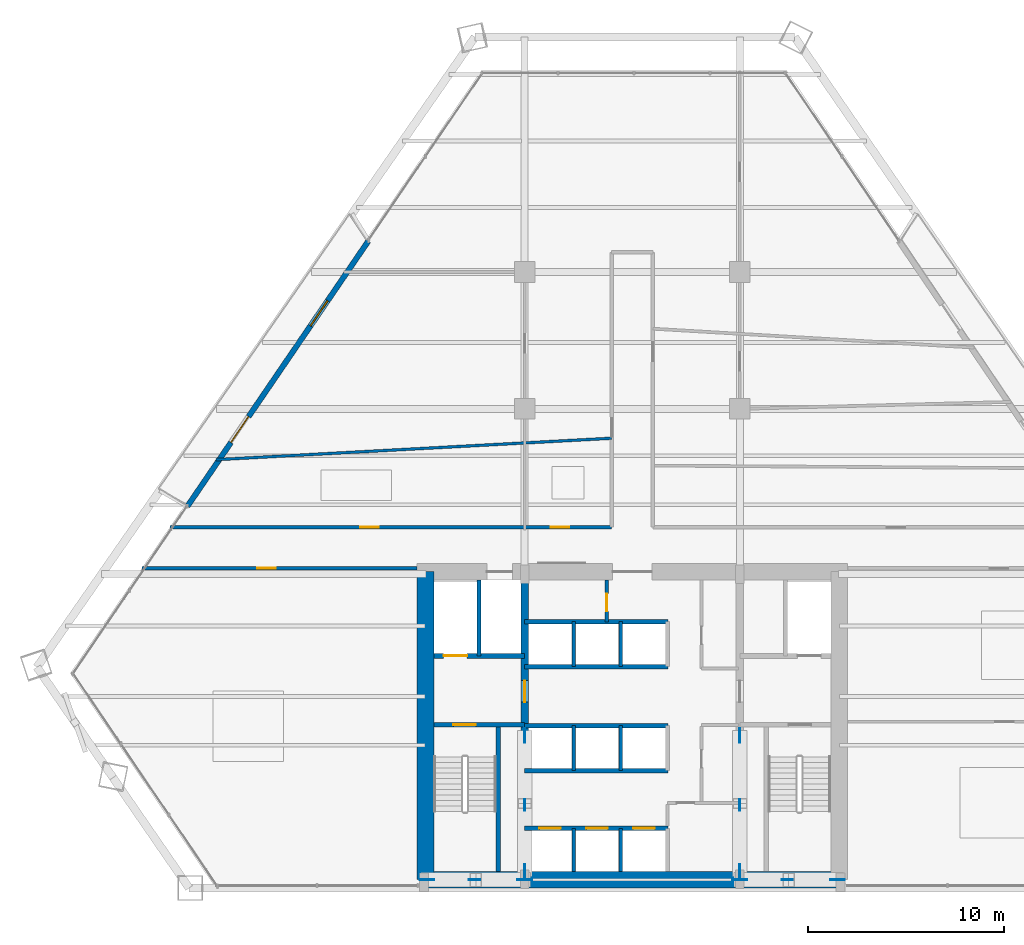
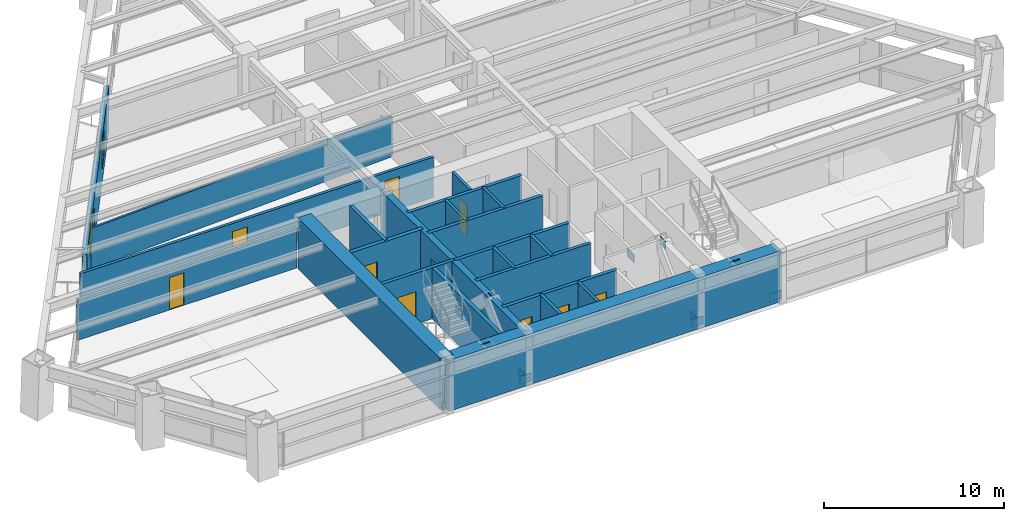
# One storey, part 10 of 14: 23 walls, 12 plates, 11 doors, 1 window, 12 openings.
"""IFC4 building model written with IfcOpenShell, lengths in metres."""

from ifc_helpers import new_model, si_unit, direction, frame, frame_2d, origin, origin_2d, place, context, subcontext, project, spatial, rectangle, extrude, source, transform, mapped, material, layer, layer_set, type_object, type_shapes, element, fill, save


model = new_model("IFC4")

# Units and contexts
model_context = context("Model", 3, precision=1e-05, world=origin(), true_north=direction((0.0, 1.0)))
body_context = subcontext(model_context, "Body", "Model", "MODEL_VIEW")
ifc_project = project(units=[si_unit("LENGTHUNIT", "METRE"), si_unit("AREAUNIT", "SQUARE_METRE"), si_unit("VOLUMEUNIT", "CUBIC_METRE"), si_unit("PLANEANGLEUNIT", "RADIAN"), si_unit("MASSUNIT", "GRAM", prefix="KILO")], contexts=[model_context])

# Site, building, storey
site_placement = place(None, origin())
site = spatial("IfcSite", under=ifc_project, at=site_placement, CompositionType="ELEMENT")
building_placement = place(site_placement, origin())
building = spatial("IfcBuilding", under=site, at=building_placement, Name="Varnakhor Terracotta Tower", CompositionType="ELEMENT")
storey_placement = place(building_placement, frame((0.0, 0.0, 34.89990234375)))
storey = spatial("IfcBuildingStorey", under=building, at=storey_placement, Name="L07", CompositionType="ELEMENT", Elevation=34.89990234375)

# Plates
ifc_material_1 = material(Name="Steel S460", Category="steel")
ifc_layer_1 = layer(ifc_material_1, 0.050048828125, Name="Steel S460")
ifc_layer_set_1 = layer_set([ifc_layer_1], Name="Steel S460")
plate_type = type_object("IfcPlateType", Name="PLT-GUSSET-50", PredefinedType="USERDEFINED", material=ifc_layer_set_1)
shared_shape_1 = source(origin(), body_context, "Body", "SweptSolid", [
    extrude(rectangle(XDim=0.75, YDim=0.0400390625, at=origin_2d()), origin(), (0.0, 0.0, 1.0), 0.550048828125),
])
type_shapes(plate_type, [shared_shape_1])
for number, where, z_axis, x_axis, name in (
    (1, (-10.5, 0.419921875, -0.0947265625), (0.0, 0.0, 1.0), (1.0, 0.0, 0.0), "L07 Core Brace Embed Plate CSWA"),
    (2, (-5.5, 0.419921875, -0.0947265625), (0.0, 0.0, 1.0), (1.0, 0.0, 0.0), "L07 Core Brace Embed Plate CSWB"),
    (3, (5.5, 0.419921875, -0.0947265625), (0.0, 0.0, 1.0), (1.0, 0.0, 0.0), "L07 Core Brace Embed Plate CSEA"),
    (4, (10.5, 0.419921875, -0.0947265625), (0.0, 0.0, 1.0), (1.0, 0.0, 0.0), "L07 Core Brace Embed Plate CSEB"),
    (5, (-5.5, 0.85009765625, -0.0947265625), (0.0, 0.0, 1.0), (0.0, 1.0, 0.0), "L07 Core Brace Embed Plate CWWA"),
    (6, (-5.5, 7.800048828125, -0.0947265625), (0.0, 0.0, 1.0), (0.0, 1.0, 0.0), "L07 Core Brace Embed Plate CWWB"),
    (7, (5.5, 0.85009765625, -0.0947265625), (0.0, 0.0, 1.0), (0.0, 1.0, 0.0), "L07 Core Brace Embed Plate CWEA"),
    (8, (5.5, 7.800048828125, -0.0947265625), (0.0, 0.0, 1.0), (0.0, 1.0, 0.0), "L07 Core Brace Embed Plate CWEB"),
):
    element("IfcPlate", number, at=place(storey_placement, frame(where, z_axis=z_axis, x_axis=x_axis)), inside=storey, type_object=plate_type, Name=name, ObjectType="GUSSET PLATE", PredefinedType="USERDEFINED", context=body_context, shape_type="MappedRepresentation", body=[
        mapped(shared_shape_1, transform((0.0, 0.0, 0.0), scale=1.0)),
    ])
shared_shape_2 = source(origin(), body_context, "Body", "SweptSolid", [
    extrude(rectangle(XDim=0.580078125, YDim=0.0400390625, at=origin_2d()), origin(), (0.0, 0.0, 1.0), 0.580078125),
])
for number, where, z_axis, x_axis, name in (
    (9, (-8.072509765625, 0.419921875, 2.914306640625), (0.0, 0.0, 1.0), (1.0, 0.0, 0.0), "L07 Brace End Connection Plate 32"),
    (10, (7.927490234375, 0.419921875, 2.914306640625), (0.0, 0.0, 1.0), (1.0, 0.0, 0.0), "L07 Brace End Connection Plate 33"),
    (11, (-5.5, 4.238037109375, 2.927490234375), (0.0, 0.0, 1.0), (0.0, 1.0, 0.0), "L07 Brace End Connection Plate 34"),
    (12, (5.5, 4.238037109375, 2.927490234375), (0.0, 0.0, 1.0), (0.0, 1.0, 0.0), "L07 Brace End Connection Plate 35"),
):
    element("IfcPlate", number, at=place(storey_placement, frame(where, z_axis=z_axis, x_axis=x_axis)), inside=storey, type_object=plate_type, Name=name, ObjectType="GUSSET PLATE", PredefinedType="USERDEFINED", context=body_context, shape_type="MappedRepresentation", body=[
        mapped(shared_shape_2, transform((0.0, 0.0, 0.0), scale=1.0)),
    ])

# Walls
ifc_material_2 = material(Name="Concrete C60/75", Category="concrete")
ifc_layer_2 = layer(ifc_material_2, 0.85009765625, Name="Concrete C60/75")
ifc_layer_set_2 = layer_set([ifc_layer_2], Name="Concrete C60/75")
wall_type_1 = type_object("IfcWallType", Name="WAL-CORE-850", PredefinedType="SHEAR", material=ifc_layer_set_2)
wall_1_placement = place(storey_placement, frame((-10.64990234375, 0.425048828125, 0.0), z_axis=(0.0, 0.0, 1.0), x_axis=(1.0, 0.0, 0.0)))
element("IfcWall", 13, at=wall_1_placement, inside=storey, type_object=wall_type_1, Name="L07 South Core Shear Wall", PredefinedType="SHEAR", context=body_context, shape_type="SweptSolid", body=[
    extrude(rectangle(XDim=21.2998046875, YDim=0.85009765625, at=frame_2d((10.64990234375, 0.0))), origin(), (0.0, 0.0, 1.0), 3.4501953125),
])
wall_2_placement = place(storey_placement, frame((-10.574951171875, 0.425048828125, 0.0), z_axis=(0.0, 0.0, 1.0), x_axis=(0.0, 1.0, 0.0)))
element("IfcWall", 14, at=wall_2_placement, inside=storey, type_object=wall_type_1, Name="L07 West Core Shear Wall", PredefinedType="SHEAR", context=body_context, shape_type="SweptSolid", body=[
    extrude(rectangle(XDim=15.75, YDim=0.85009765625, at=frame_2d((7.875, 0.0))), origin(), (0.0, 0.0, 1.0), 3.4501953125),
])

# Wall, opening, door
ifc_material_3 = material(Name="Concrete C50/60", Category="concrete")
ifc_layer_3 = layer(ifc_material_3, 0.39990234375, Name="Concrete C50/60")
ifc_layer_set_3 = layer_set([ifc_layer_3], Name="Concrete C50/60")
wall_type_2 = type_object("IfcWallType", Name="WAL-CORE-WEB-400", PredefinedType="SHEAR", material=ifc_layer_set_3)
wall_3_placement = place(storey_placement, frame((-5.5, 0.425048828125, 0.0), z_axis=(0.0, 0.0, 1.0), x_axis=(0.0, 1.0, 0.0)))
wall_3 = element("IfcWall", 15, at=wall_3_placement, inside=storey, type_object=wall_type_2, Name="L07 West Core Web Shear Wall", PredefinedType="SHEAR", context=body_context, shape_type="SweptSolid", body=[
    extrude(rectangle(XDim=15.75, YDim=0.39990234375, at=frame_2d((7.875, 0.0))), origin(), (0.0, 0.0, 1.0), 3.4501953125),
])
opening_1_placement = place(wall_3_placement, frame((9.074951171875, 0.0, 0.0)))
opening_1 = element("IfcOpeningElement", 16, at=opening_1_placement, cuts=wall_3, Name="Opening DR-25", PredefinedType="OPENING", context=body_context, shape_type="SweptSolid", body=[
    extrude(rectangle(XDim=1.10009765625, YDim=2.199951171875, at=frame_2d((0.550048828125, 1.10009765625))), frame((0.0, 0.2099609375, 0.0), z_axis=(0.0, -1.0, 0.0), x_axis=(1.0, 0.0, 0.0)), (0.0, 0.0, 1.0), 0.419921875),
])
ifc_material_4 = material(Name="Firefighting Lobby Self-Closing Fire Door", Category="steel")
door_type_1 = type_object("IfcDoorType", Name="DR-FFL-1100X2200", OperationType="NOTDEFINED", PredefinedType="DOOR", material=ifc_material_4)
shared_shape_3 = source(origin(), body_context, "Body", "SweptSolid", [
    extrude(rectangle(XDim=1.10009765625, YDim=2.199951171875, at=frame_2d((0.550048828125, 1.10009765625))), frame((0.0, 0.02490234375, 0.0), z_axis=(0.0, -1.0, 0.0), x_axis=(1.0, 0.0, 0.0)), (0.0, 0.0, 1.0), 0.050048828125),
])
type_shapes(door_type_1, [shared_shape_3])
door_1_placement = place(opening_1_placement, origin())
door_1 = element("IfcDoor", 17, at=door_1_placement, inside=storey, type_object=door_type_1, Name="L07 West Firefighting Lobby Door", OperationType="SINGLE_SWING_LEFT", OverallHeight=2.199951171875, OverallWidth=1.10009765625, PredefinedType="DOOR", context=body_context, shape_type="MappedRepresentation", body=[
    mapped(shared_shape_3, transform((0.0, 0.0, 0.0), scale=1.0)),
])
fill(opening_1, door_1)

ifc_material_5 = material(Name="Fire-Rated Gypsum Stud Partition", Category="gypsum")
ifc_layer_4 = layer(ifc_material_5, 0.18505859375, Name="Fire-Rated Gypsum Stud Partition")
ifc_layer_set_4 = layer_set([ifc_layer_4], Name="Fire-Rated Gypsum Stud Partition")
wall_type_3 = type_object("IfcWallType", Name="WAL-CORR-185", PredefinedType="PARTITIONING", material=ifc_layer_set_4)
wall_4_placement = place(storey_placement, frame((-25.064453125, 16.35009765625, 0.0), z_axis=(0.0, 0.0, 1.0), x_axis=(1.0, 0.0, 0.0)))
wall_4 = element("IfcWall", 18, at=wall_4_placement, inside=storey, type_object=wall_type_3, Name="L07 South West Corridor Wall", PredefinedType="PARTITIONING", context=body_context, shape_type="SweptSolid", body=[
    extrude(rectangle(XDim=14.04443359375, YDim=0.18505859375, at=frame_2d((7.022216796875, 0.0))), origin(), (0.0, 0.0, 1.0), 2.7470703125),
])
opening_2_placement = place(wall_4_placement, frame((5.87890625, 0.0, 0.0)))
opening_2 = element("IfcOpeningElement", 19, at=opening_2_placement, cuts=wall_4, Name="Opening DR-94", PredefinedType="OPENING", context=body_context, shape_type="SweptSolid", body=[
    extrude(rectangle(XDim=0.949951171875, YDim=2.199951171875, at=frame_2d((0.47509765625, 1.10009765625))), frame((0.0, 0.1025390625, 0.0), z_axis=(0.0, -1.0, 0.0), x_axis=(1.0, 0.0, 0.0)), (0.0, 0.0, 1.0), 0.205078125),
])
ifc_material_6 = material(Name="Acoustic Glazed-Vision Timber Office Door", Category="wood")
door_type_2 = type_object("IfcDoorType", Name="DR-OFF-950X2200", OperationType="NOTDEFINED", PredefinedType="DOOR", material=ifc_material_6)
shared_shape_4 = source(origin(), body_context, "Body", "SweptSolid", [
    extrude(rectangle(XDim=0.949951171875, YDim=2.199951171875, at=frame_2d((0.47509765625, 1.10009765625))), frame((0.0, 0.02490234375, 0.0), z_axis=(0.0, -1.0, 0.0), x_axis=(1.0, 0.0, 0.0)), (0.0, 0.0, 1.0), 0.050048828125),
])
type_shapes(door_type_2, [shared_shape_4])
door_2_placement = place(opening_2_placement, origin())
door_2 = element("IfcDoor", 20, at=door_2_placement, inside=storey, type_object=door_type_2, Name="L07 SW Suite Door", OperationType="SINGLE_SWING_RIGHT", OverallHeight=2.199951171875, OverallWidth=0.949951171875, PredefinedType="DOOR", context=body_context, shape_type="MappedRepresentation", body=[
    mapped(shared_shape_4, transform((0.0, 0.0, 0.0), scale=1.0)),
])
fill(opening_2, door_2)

# Wall, openings, doors
wall_5_placement = place(storey_placement, frame((-23.63232421875, 18.449951171875, 0.0), z_axis=(0.0, 0.0, 1.0), x_axis=(1.0, 0.0, 0.0)))
wall_5 = element("IfcWall", 21, at=wall_5_placement, inside=storey, type_object=wall_type_3, Name="L07 Corridor North West Wall", PredefinedType="PARTITIONING", context=body_context, shape_type="SweptSolid", body=[
    extrude(rectangle(XDim=22.582275390625, YDim=0.18505859375, at=frame_2d((11.291015625, 0.0))), origin(), (0.0, 0.0, 1.0), 2.7470703125),
])
opening_3_placement = place(wall_5_placement, frame((9.72119140625, 0.0, 0.0)))
opening_3 = element("IfcOpeningElement", 22, at=opening_3_placement, cuts=wall_5, Name="Opening DR-94", PredefinedType="OPENING", context=body_context, shape_type="SweptSolid", body=[
    extrude(rectangle(XDim=0.949951171875, YDim=2.199951171875, at=frame_2d((0.47509765625, 1.10009765625))), frame((0.0, 0.1025390625, 0.0), z_axis=(0.0, -1.0, 0.0), x_axis=(1.0, 0.0, 0.0)), (0.0, 0.0, 1.0), 0.205078125),
])
opening_4_placement = place(wall_5_placement, frame((19.4560546875, 0.0, 0.0)))
opening_4 = element("IfcOpeningElement", 23, at=opening_4_placement, cuts=wall_5, Name="Opening DR-94", PredefinedType="OPENING", context=body_context, shape_type="SweptSolid", body=[
    extrude(rectangle(XDim=0.949951171875, YDim=2.199951171875, at=frame_2d((0.47509765625, 1.10009765625))), frame((0.0, 0.1025390625, 0.0), z_axis=(0.0, -1.0, 0.0), x_axis=(1.0, 0.0, 0.0)), (0.0, 0.0, 1.0), 0.205078125),
])
door_3_placement = place(opening_3_placement, origin())
door_3 = element("IfcDoor", 24, at=door_3_placement, inside=storey, type_object=door_type_2, Name="L07 West Workplace Door", OperationType="SINGLE_SWING_RIGHT", OverallHeight=2.199951171875, OverallWidth=0.949951171875, PredefinedType="DOOR", context=body_context, shape_type="MappedRepresentation", body=[
    mapped(shared_shape_4, transform((0.0, 0.0, 0.0), scale=1.0)),
])
fill(opening_3, door_3)
door_4_placement = place(opening_4_placement, origin())
door_4 = element("IfcDoor", 25, at=door_4_placement, inside=storey, type_object=door_type_2, Name="L07 Executive Office 2 B7 Door", OperationType="SINGLE_SWING_LEFT", OverallHeight=2.199951171875, OverallWidth=0.949951171875, PredefinedType="DOOR", context=body_context, shape_type="MappedRepresentation", body=[
    mapped(shared_shape_4, transform((0.0, 0.0, 0.0), scale=1.0)),
])
fill(opening_4, door_4)

# Wall, openings, door, window
ifc_material_7 = material(Name="Extruded Architectural Terracotta Assembly", Category="masonry")
ifc_layer_5 = layer(ifc_material_7, 0.280029296875, Name="Extruded Architectural Terracotta Assembly")
ifc_layer_set_5 = layer_set([ifc_layer_5], Name="Extruded Architectural Terracotta Assembly")
wall_type_4 = type_object("IfcWallType", Name="WAL-EXT-TERRACOTTA-280", PredefinedType="SOLIDWALL", material=ifc_layer_set_5)
wall_6_placement = place(storey_placement, frame((-22.739990234375, 19.52783203125, 0.0), z_axis=(0.0, 0.0, 1.0), x_axis=(0.563410685264, 0.826176978455, 0.0)))
wall_6 = element("IfcWall", 26, at=wall_6_placement, inside=storey, type_object=wall_type_4, Name="L07 W Loggia Insulated Terracotta Wall", PredefinedType="SOLIDWALL", context=body_context, shape_type="SweptSolid", body=[
    extrude(rectangle(XDim=16.41015625, YDim=0.280029296875, at=frame_2d((8.205078125, 0.0))), origin(), (0.0, 0.0, 1.0), 3.030029296875),
])
opening_5_placement = place(wall_6_placement, frame((3.9384765625, 0.0, 0.0)))
opening_5 = element("IfcOpeningElement", 27, at=opening_5_placement, cuts=wall_6, Name="Opening DR-62", PredefinedType="OPENING", context=body_context, shape_type="SweptSolid", body=[
    extrude(rectangle(XDim=1.60009765625, YDim=2.35009765625, at=frame_2d((0.800048828125, 1.175048828125))), frame((0.0, 0.14990234375, 0.0), z_axis=(0.0, -1.0, 0.0), x_axis=(1.0, 0.0, 0.0)), (0.0, 0.0, 1.0), 0.300048828125),
])
opening_6_placement = place(wall_6_placement, frame((11.15869140625, 0.0, 0.89990234375)))
opening_6 = element("IfcOpeningElement", 28, at=opening_6_placement, cuts=wall_6, Name="Opening WN-57", PredefinedType="OPENING", context=body_context, shape_type="SweptSolid", body=[
    extrude(rectangle(XDim=1.550048828125, YDim=1.85009765625, at=frame_2d((0.77490234375, 0.925048828125))), frame((0.0, 0.14990234375, 0.0), z_axis=(0.0, -1.0, 0.0), x_axis=(1.0, 0.0, 0.0)), (0.0, 0.0, 1.0), 0.300048828125),
])
ifc_material_8 = material(Name="Thermally Broken Sliding Glass Loggia Door", Category="glass")
door_type_3 = type_object("IfcDoorType", Name="DR-EXT-LOGGIA-1600X2350", OperationType="NOTDEFINED", PredefinedType="DOOR", material=ifc_material_8)
shared_shape_5 = source(origin(), body_context, "Body", "SweptSolid", [
    extrude(rectangle(XDim=1.60009765625, YDim=2.35009765625, at=frame_2d((0.800048828125, 1.175048828125))), frame((0.0, 0.02490234375, 0.0), z_axis=(0.0, -1.0, 0.0), x_axis=(1.0, 0.0, 0.0)), (0.0, 0.0, 1.0), 0.050048828125),
])
type_shapes(door_type_3, [shared_shape_5])
door_5_placement = place(opening_5_placement, origin())
door_5 = element("IfcDoor", 29, at=door_5_placement, inside=storey, type_object=door_type_3, Name="L07 W Recessed Loggia Sliding Door", OperationType="SLIDING_TO_LEFT", OverallHeight=2.35009765625, OverallWidth=1.60009765625, PredefinedType="DOOR", context=body_context, shape_type="MappedRepresentation", body=[
    mapped(shared_shape_5, transform((0.0, 0.0, 0.0), scale=1.0)),
])
fill(opening_5, door_5)
ifc_material_9 = material(Name="Solar-Control Low-E Insulated Glass Unit", Category="glass")
window_type = type_object("IfcWindowType", Name="WIN-OFF-1650X2100", PartitioningType="SINGLE_PANEL", PredefinedType="WINDOW", material=ifc_material_9)
shared_shape_6 = source(origin(), body_context, "Body", "SweptSolid", [
    extrude(rectangle(XDim=1.550048828125, YDim=1.85009765625, at=frame_2d((0.77490234375, 0.925048828125))), frame((0.0, 0.030029296875, 0.0), z_axis=(0.0, -1.0, 0.0), x_axis=(1.0, 0.0, 0.0)), (0.0, 0.0, 1.0), 0.06005859375),
])
type_shapes(window_type, [shared_shape_6])
window_placement = place(opening_6_placement, origin())
window = element("IfcWindow", 30, at=window_placement, inside=storey, type_object=window_type, Name="L07 W Facet Punched Window", OverallHeight=1.85009765625, OverallWidth=1.550048828125, PartitioningType="SINGLE_PANEL", PredefinedType="WINDOW", context=body_context, shape_type="MappedRepresentation", body=[
    mapped(shared_shape_6, transform((0.0, 0.0, 0.0), scale=1.0)),
])
fill(opening_6, window)

# Wall, opening, door
ifc_material_10 = material(Name="Concrete C40/50", Category="concrete")
ifc_layer_6 = layer(ifc_material_10, 0.219970703125, Name="Concrete C40/50")
ifc_layer_set_6 = layer_set([ifc_layer_6], Name="Concrete C40/50")
wall_type_5 = type_object("IfcWallType", Name="WAL-FFLOBBY-220", PredefinedType="SOLIDWALL", material=ifc_layer_set_6)
wall_7_placement = place(storey_placement, frame((-5.5, 8.35009765625, 0.0), z_axis=(0.0, 0.0, 1.0), x_axis=(-1.0, 0.0, 0.0)))
wall_7 = element("IfcWall", 31, at=wall_7_placement, inside=storey, type_object=wall_type_5, Name="L07 West Firefighting Lobby Stair Wall", PredefinedType="SOLIDWALL", context=body_context, shape_type="SweptSolid", body=[
    extrude(rectangle(XDim=4.64990234375, YDim=0.219970703125, at=frame_2d((2.324951171875, 0.0))), origin(), (0.0, 0.0, 1.0), 3.4501953125),
])
opening_7_placement = place(wall_7_placement, frame((2.5, 0.0, 0.0)))
opening_7 = element("IfcOpeningElement", 32, at=opening_7_placement, cuts=wall_7, Name="Opening DR-34", PredefinedType="OPENING", context=body_context, shape_type="SweptSolid", body=[
    extrude(rectangle(XDim=1.14990234375, YDim=2.199951171875, at=frame_2d((0.574951171875, 1.10009765625))), frame((0.0, 0.1201171875, 0.0), z_axis=(0.0, -1.0, 0.0), x_axis=(1.0, 0.0, 0.0)), (0.0, 0.0, 1.0), 0.239990234375),
])
ifc_material_11 = material(Name="Self-Closing Smoke-Sealed Steel Fire Door", Category="steel")
door_type_4 = type_object("IfcDoorType", Name="DR-STAIR-1150X2200", OperationType="NOTDEFINED", PredefinedType="DOOR", material=ifc_material_11)
shared_shape_7 = source(origin(), body_context, "Body", "SweptSolid", [
    extrude(rectangle(XDim=1.14990234375, YDim=2.199951171875, at=frame_2d((0.574951171875, 1.10009765625))), frame((0.0, 0.02490234375, 0.0), z_axis=(0.0, -1.0, 0.0), x_axis=(1.0, 0.0, 0.0)), (0.0, 0.0, 1.0), 0.050048828125),
])
type_shapes(door_type_4, [shared_shape_7])
door_6_placement = place(opening_7_placement, origin())
door_6 = element("IfcDoor", 33, at=door_6_placement, inside=storey, type_object=door_type_4, Name="L07 Exit Stair ST-1 Fire Door", OperationType="SINGLE_SWING_RIGHT", OverallHeight=2.199951171875, OverallWidth=1.14990234375, PredefinedType="DOOR", context=body_context, shape_type="MappedRepresentation", body=[
    mapped(shared_shape_7, transform((0.0, 0.0, 0.0), scale=1.0)),
])
fill(opening_7, door_6)

# Walls
ifc_material_12 = material(Name="Acoustic Metal-Stud Partition", Category="gypsum")
ifc_layer_7 = layer(ifc_material_12, 0.139892578125, Name="Acoustic Metal-Stud Partition")
ifc_layer_set_7 = layer_set([ifc_layer_7], Name="Acoustic Metal-Stud Partition")
wall_type_6 = type_object("IfcWallType", Name="WAL-PART-140", PredefinedType="PARTITIONING", material=ifc_layer_set_7)
wall_8_placement = place(storey_placement, frame((-21.2763671875, 21.90478515625, 0.0), z_axis=(0.0, 0.0, 1.0), x_axis=(0.998537212519, 0.054068800745, 0.0)))
element("IfcWall", 34, at=wall_8_placement, inside=storey, type_object=wall_type_6, Name="L07 West Wing Cut 1", PredefinedType="PARTITIONING", context=body_context, shape_type="SweptSolid", body=[
    extrude(rectangle(XDim=20.255859375, YDim=0.139892578125, at=frame_2d((10.1279296875, 0.0))), origin(), (0.0, 0.0, 1.0), 2.7470703125),
])
ifc_layer_8 = layer(ifc_material_10, 0.179931640625, Name="Concrete C40/50")
ifc_layer_set_8 = layer_set([ifc_layer_8], Name="Concrete C40/50")
wall_type_7 = type_object("IfcWallType", Name="WAL-SHAFT-180", PredefinedType="SOLIDWALL", material=ifc_layer_set_8)
for number, where, z_axis, x_axis, name in (
    (35, (-3.0, 0.85009765625, 0.0), (0.0, 0.0, 1.0), (0.0, 1.0, 0.0), "L07 PL-1A Divider"),
    (36, (-0.60009765625, 0.85009765625, 0.0), (0.0, 0.0, 1.0), (0.0, 1.0, 0.0), "L07 PL-1B Divider"),
):
    element("IfcWall", number, at=place(storey_placement, frame(where, z_axis=z_axis, x_axis=x_axis)), inside=storey, type_object=wall_type_7, Name=name, PredefinedType="SOLIDWALL", context=body_context, shape_type="SweptSolid", body=[
        extrude(rectangle(XDim=2.199951171875, YDim=0.179931640625, at=frame_2d((1.10009765625, 0.0))), origin(), (0.0, 0.0, 1.0), 3.4501953125),
    ])
for number, where, z_axis, x_axis, name in (
    (37, (-3.0, 6.0, 0.0), (0.0, 0.0, 1.0), (0.0, 1.0, 0.0), "L07 PL-2A Divider"),
    (38, (-0.60009765625, 6.0, 0.0), (0.0, 0.0, 1.0), (0.0, 1.0, 0.0), "L07 PL-2B Divider"),
    (39, (-3.0, 11.320068359375, 0.0), (0.0, 0.0, 1.0), (0.0, 1.0, 0.0), "L07 PL-3A Divider"),
    (40, (-0.60009765625, 11.320068359375, 0.0), (0.0, 0.0, 1.0), (0.0, 1.0, 0.0), "L07 PL-3B Divider"),
):
    element("IfcWall", number, at=place(storey_placement, frame(where, z_axis=z_axis, x_axis=x_axis)), inside=storey, type_object=wall_type_7, Name=name, PredefinedType="SOLIDWALL", context=body_context, shape_type="SweptSolid", body=[
        extrude(rectangle(XDim=2.300048828125, YDim=0.179931640625, at=frame_2d((1.14990234375, 0.0))), origin(), (0.0, 0.0, 1.0), 3.4501953125),
    ])
ifc_layer_9 = layer(ifc_material_10, 0.219970703125, Name="Concrete C40/50")
ifc_layer_set_9 = layer_set([ifc_layer_9], Name="Concrete C40/50")
wall_type_8 = type_object("IfcWallType", Name="WAL-SHAFT-220", PredefinedType="SOLIDWALL", material=ifc_layer_set_9)
wall_9_placement = place(storey_placement, frame((-7.840087890625, 11.8701171875, 0.0), z_axis=(0.0, 0.0, 1.0), x_axis=(0.0, 1.0, 0.0)))
element("IfcWall", 41, at=wall_9_placement, inside=storey, type_object=wall_type_8, Name="L07 Lift FFL-1 and SVL-1 Divider Wall", PredefinedType="SOLIDWALL", context=body_context, shape_type="SweptSolid", body=[
    extrude(rectangle(XDim=3.8798828125, YDim=0.219970703125, at=frame_2d((1.93994140625, 0.0))), origin(), (0.0, 0.0, 1.0), 3.4501953125),
])

# Wall, openings, doors
wall_10_placement = place(storey_placement, frame((-5.5, 3.050048828125, 0.0), z_axis=(0.0, 0.0, 1.0), x_axis=(1.0, 0.0, 0.0)))
wall_10 = element("IfcWall", 42, at=wall_10_placement, inside=storey, type_object=wall_type_8, Name="L07 Bank 1 Lift Shaft Wall", PredefinedType="SOLIDWALL", context=body_context, shape_type="SweptSolid", body=[
    extrude(rectangle(XDim=7.320068359375, YDim=0.219970703125, at=frame_2d((3.66015625, 0.0))), origin(), (0.0, 0.0, 1.0), 3.4501953125),
])
opening_8_placement = place(wall_10_placement, frame((0.75, 0.0, 0.0)))
opening_8 = element("IfcOpeningElement", 43, at=opening_8_placement, cuts=wall_10, Name="Opening LD-01", PredefinedType="OPENING", context=body_context, shape_type="SweptSolid", body=[
    extrude(rectangle(XDim=1.10009765625, YDim=2.199951171875, at=frame_2d((0.550048828125, 1.10009765625))), frame((0.0, 0.1201171875, 0.0), z_axis=(0.0, -1.0, 0.0), x_axis=(1.0, 0.0, 0.0)), (0.0, 0.0, 1.0), 0.239990234375),
])
opening_9_placement = place(wall_10_placement, frame((3.14990234375, 0.0, 0.0)))
opening_9 = element("IfcOpeningElement", 44, at=opening_9_placement, cuts=wall_10, Name="Opening LD-01", PredefinedType="OPENING", context=body_context, shape_type="SweptSolid", body=[
    extrude(rectangle(XDim=1.10009765625, YDim=2.199951171875, at=frame_2d((0.550048828125, 1.10009765625))), frame((0.0, 0.1201171875, 0.0), z_axis=(0.0, -1.0, 0.0), x_axis=(1.0, 0.0, 0.0)), (0.0, 0.0, 1.0), 0.239990234375),
])
opening_10_placement = place(wall_10_placement, frame((5.550048828125, 0.0, 0.0)))
opening_10 = element("IfcOpeningElement", 45, at=opening_10_placement, cuts=wall_10, Name="Opening LD-01", PredefinedType="OPENING", context=body_context, shape_type="SweptSolid", body=[
    extrude(rectangle(XDim=1.10009765625, YDim=2.199951171875, at=frame_2d((0.550048828125, 1.10009765625))), frame((0.0, 0.1201171875, 0.0), z_axis=(0.0, -1.0, 0.0), x_axis=(1.0, 0.0, 0.0)), (0.0, 0.0, 1.0), 0.239990234375),
])
ifc_material_13 = material(Name="Brushed Stainless Steel Sliding Lift Landing Door", Category="steel")
door_type_5 = type_object("IfcDoorType", Name="LD-PASS-1100X2200", OperationType="NOTDEFINED", PredefinedType="DOOR", material=ifc_material_13)
shared_shape_8 = source(origin(), body_context, "Body", "SweptSolid", [
    extrude(rectangle(XDim=1.10009765625, YDim=2.199951171875, at=frame_2d((0.550048828125, 1.10009765625))), frame((0.0, 0.02490234375, 0.0), z_axis=(0.0, -1.0, 0.0), x_axis=(1.0, 0.0, 0.0)), (0.0, 0.0, 1.0), 0.050048828125),
])
type_shapes(door_type_5, [shared_shape_8])
door_7_placement = place(opening_8_placement, origin())
door_7 = element("IfcDoor", 46, at=door_7_placement, inside=storey, type_object=door_type_5, Name="L07 Passenger Lift PL-1A Landing Door", OperationType="SLIDING_TO_RIGHT", OverallHeight=2.199951171875, OverallWidth=1.10009765625, PredefinedType="DOOR", context=body_context, shape_type="MappedRepresentation", body=[
    mapped(shared_shape_8, transform((0.0, 0.0, 0.0), scale=1.0)),
])
fill(opening_8, door_7)
door_8_placement = place(opening_9_placement, origin())
door_8 = element("IfcDoor", 47, at=door_8_placement, inside=storey, type_object=door_type_5, Name="L07 Passenger Lift PL-1B Landing Door", OperationType="SLIDING_TO_RIGHT", OverallHeight=2.199951171875, OverallWidth=1.10009765625, PredefinedType="DOOR", context=body_context, shape_type="MappedRepresentation", body=[
    mapped(shared_shape_8, transform((0.0, 0.0, 0.0), scale=1.0)),
])
fill(opening_9, door_8)
door_9_placement = place(opening_10_placement, origin())
door_9 = element("IfcDoor", 48, at=door_9_placement, inside=storey, type_object=door_type_5, Name="L07 Passenger Lift PL-1C Landing Door", OperationType="SLIDING_TO_RIGHT", OverallHeight=2.199951171875, OverallWidth=1.10009765625, PredefinedType="DOOR", context=body_context, shape_type="MappedRepresentation", body=[
    mapped(shared_shape_8, transform((0.0, 0.0, 0.0), scale=1.0)),
])
fill(opening_10, door_9)

# Walls
for number, where, z_axis, x_axis, name in (
    (49, (-5.5, 6.0, 0.0), (0.0, 0.0, 1.0), (1.0, 0.0, 0.0), "L07 Bank 2 South Shaft Wall"),
    (50, (-5.5, 8.300048828125, 0.0), (0.0, 0.0, 1.0), (1.0, 0.0, 0.0), "L07 Bank 2 North Shaft Wall"),
    (51, (-5.5, 11.320068359375, 0.0), (0.0, 0.0, 1.0), (1.0, 0.0, 0.0), "L07 Bank 3 South Shaft Wall"),
    (52, (-5.5, 13.6201171875, 0.0), (0.0, 0.0, 1.0), (1.0, 0.0, 0.0), "L07 Bank 3 North Shaft Wall"),
):
    element("IfcWall", number, at=place(storey_placement, frame(where, z_axis=z_axis, x_axis=x_axis)), inside=storey, type_object=wall_type_8, Name=name, PredefinedType="SOLIDWALL", context=body_context, shape_type="SweptSolid", body=[
        extrude(rectangle(XDim=7.320068359375, YDim=0.219970703125, at=frame_2d((3.66015625, 0.0))), origin(), (0.0, 0.0, 1.0), 3.4501953125),
    ])
ifc_layer_10 = layer(ifc_material_10, 0.25, Name="Concrete C40/50")
ifc_layer_set_10 = layer_set([ifc_layer_10], Name="Concrete C40/50")
wall_type_9 = type_object("IfcWallType", Name="WAL-SHAFT-250", PredefinedType="SOLIDWALL", material=ifc_layer_set_10)
wall_11_placement = place(storey_placement, frame((-6.85009765625, 0.85009765625, 0.0), z_axis=(0.0, 0.0, 1.0), x_axis=(0.0, 1.0, 0.0)))
element("IfcWall", 53, at=wall_11_placement, inside=storey, type_object=wall_type_9, Name="L07 Stair ST-1 Bearing Shaft Wall", PredefinedType="SOLIDWALL", context=body_context, shape_type="SweptSolid", body=[
    extrude(rectangle(XDim=7.5, YDim=0.25, at=frame_2d((3.75, 0.0))), origin(), (0.0, 0.0, 1.0), 3.4501953125),
])

# Wall, opening, door
wall_12_placement = place(storey_placement, frame((-5.5, 11.8701171875, 0.0), z_axis=(0.0, 0.0, 1.0), x_axis=(-1.0, 0.0, 0.0)))
wall_12 = element("IfcWall", 54, at=wall_12_placement, inside=storey, type_object=wall_type_9, Name="L07 Lift FFL-1 Shaft Front Wall", PredefinedType="SOLIDWALL", context=body_context, shape_type="SweptSolid", body=[
    extrude(rectangle(XDim=4.64990234375, YDim=0.25, at=frame_2d((2.324951171875, 0.0))), origin(), (0.0, 0.0, 1.0), 3.4501953125),
])
opening_11_placement = place(wall_12_placement, frame((2.949951171875, 0.0, 0.0)))
opening_11 = element("IfcOpeningElement", 55, at=opening_11_placement, cuts=wall_12, Name="Opening LD-02", PredefinedType="OPENING", context=body_context, shape_type="SweptSolid", body=[
    extrude(rectangle(XDim=1.199951171875, YDim=2.25, at=frame_2d((0.60009765625, 1.125))), frame((0.0, 0.135009765625, 0.0), z_axis=(0.0, -1.0, 0.0), x_axis=(1.0, 0.0, 0.0)), (0.0, 0.0, 1.0), 0.27001953125),
])
ifc_material_14 = material(Name="Firefighting Stretcher Sliding Lift Landing Door", Category="steel")
door_type_6 = type_object("IfcDoorType", Name="LD-FFL-1200X2250", OperationType="NOTDEFINED", PredefinedType="DOOR", material=ifc_material_14)
shared_shape_9 = source(origin(), body_context, "Body", "SweptSolid", [
    extrude(rectangle(XDim=1.199951171875, YDim=2.25, at=frame_2d((0.60009765625, 1.125))), frame((0.0, 0.02490234375, 0.0), z_axis=(0.0, -1.0, 0.0), x_axis=(1.0, 0.0, 0.0)), (0.0, 0.0, 1.0), 0.050048828125),
])
type_shapes(door_type_6, [shared_shape_9])
door_10_placement = place(opening_11_placement, origin())
door_10 = element("IfcDoor", 56, at=door_10_placement, inside=storey, type_object=door_type_6, Name="L07 Firefighting Lift FFL-1 Landing Door", OperationType="SLIDING_TO_LEFT", OverallHeight=2.25, OverallWidth=1.199951171875, PredefinedType="DOOR", context=body_context, shape_type="MappedRepresentation", body=[
    mapped(shared_shape_9, transform((0.0, 0.0, 0.0), scale=1.0)),
])
fill(opening_11, door_10)

ifc_material_15 = material(Name="Acoustic Fire-Rated Partition", Category="gypsum")
ifc_layer_11 = layer(ifc_material_15, 0.1650390625, Name="Acoustic Fire-Rated Partition")
ifc_layer_set_11 = layer_set([ifc_layer_11], Name="Acoustic Fire-Rated Partition")
wall_type_10 = type_object("IfcWallType", Name="WAL-TENANCY-165", PredefinedType="PARTITIONING", material=ifc_layer_set_11)
wall_13_placement = place(storey_placement, frame((-1.300048828125, 13.60009765625, 0.0), z_axis=(0.0, 0.0, 1.0), x_axis=(0.0, 1.0, 0.0)))
wall_13 = element("IfcWall", 57, at=wall_13_placement, inside=storey, type_object=wall_type_10, Name="L07 Male Restroom Wall", PredefinedType="PARTITIONING", context=body_context, shape_type="SweptSolid", body=[
    extrude(rectangle(XDim=2.14990234375, YDim=0.1650390625, at=frame_2d((1.074951171875, 0.0))), origin(), (0.0, 0.0, 1.0), 3.442138671875),
])
opening_12_placement = place(wall_13_placement, frame((0.550048828125, 0.0, 0.0)))
opening_12 = element("IfcOpeningElement", 58, at=opening_12_placement, cuts=wall_13, Name="Opening DR-67", PredefinedType="OPENING", context=body_context, shape_type="SweptSolid", body=[
    extrude(rectangle(XDim=0.89990234375, YDim=2.10009765625, at=frame_2d((0.449951171875, 1.050048828125))), frame((0.0, 0.092529296875, 0.0), z_axis=(0.0, -1.0, 0.0), x_axis=(1.0, 0.0, 0.0)), (0.0, 0.0, 1.0), 0.18505859375),
])
ifc_material_16 = material(Name="Steel Service Riser Fire Door", Category="steel")
door_type_7 = type_object("IfcDoorType", Name="DR-RISER-900X2100", OperationType="NOTDEFINED", PredefinedType="DOOR", material=ifc_material_16)
shared_shape_10 = source(origin(), body_context, "Body", "SweptSolid", [
    extrude(rectangle(XDim=0.89990234375, YDim=2.10009765625, at=frame_2d((0.449951171875, 1.050048828125))), frame((0.0, 0.02490234375, 0.0), z_axis=(0.0, -1.0, 0.0), x_axis=(1.0, 0.0, 0.0)), (0.0, 0.0, 1.0), 0.050048828125),
])
type_shapes(door_type_7, [shared_shape_10])
door_11_placement = place(opening_12_placement, origin())
door_11 = element("IfcDoor", 59, at=door_11_placement, inside=storey, type_object=door_type_7, Name="L07 Male WC Door", OperationType="SINGLE_SWING_RIGHT", OverallHeight=2.10009765625, OverallWidth=0.89990234375, PredefinedType="DOOR", context=body_context, shape_type="MappedRepresentation", body=[
    mapped(shared_shape_10, transform((0.0, 0.0, 0.0), scale=1.0)),
])
fill(opening_12, door_11)

save(model, "model.ifc")
